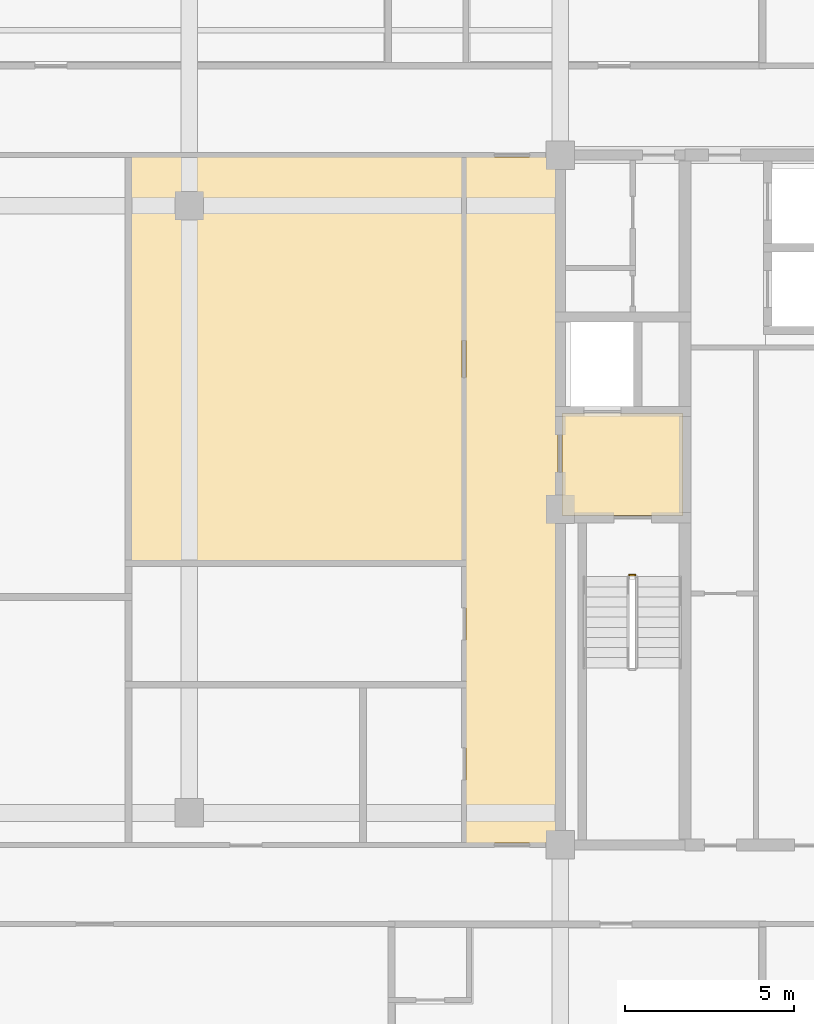
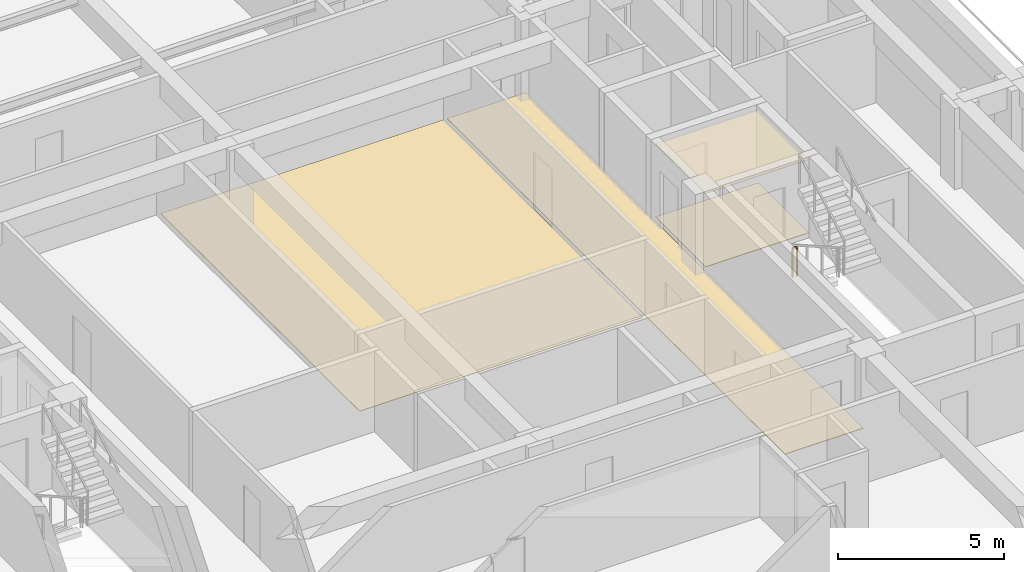
# One storey, part 12 of 13: 4 coverings, 1 railing.
"""IFC4 building model written with IfcOpenShell, lengths in metres."""

from ifc_helpers import new_model, si_unit, direction, frame, origin, origin_2d, place, context, subcontext, project, spatial, polyline, rectangle, outline, extrude, material, layer, layer_set, type_object, element, save


model = new_model("IFC4")

# Units and contexts
model_context = context("Model", 3, precision=1e-05, world=origin(), true_north=direction((0.0, 1.0)))
body_context = subcontext(model_context, "Body", "Model", "MODEL_VIEW")
ifc_project = project(units=[si_unit("LENGTHUNIT", "METRE"), si_unit("AREAUNIT", "SQUARE_METRE"), si_unit("VOLUMEUNIT", "CUBIC_METRE"), si_unit("PLANEANGLEUNIT", "RADIAN"), si_unit("MASSUNIT", "GRAM", prefix="KILO")], contexts=[model_context])

# Site, building, storey
site_placement = place(None, origin())
site = spatial("IfcSite", under=ifc_project, at=site_placement, CompositionType="ELEMENT")
building_placement = place(site_placement, origin())
building = spatial("IfcBuilding", under=site, at=building_placement, Name="Zulmaris Gate Convention Tower", CompositionType="ELEMENT")
storey_placement = place(building_placement, frame((0.0, 0.0, 218.659912109375)))
storey = spatial("IfcBuildingStorey", under=building, at=storey_placement, Name="L57", CompositionType="ELEMENT", Elevation=218.659912109375)

# Coverings
ifc_material_1 = material(Name="Mineral Fibre Acoustic Ceiling Tile")
ifc_layer_1 = layer(ifc_material_1, 0.02001953125, Name="Mineral Fibre Acoustic Ceiling Tile")
ifc_layer_set_1 = layer_set([ifc_layer_1], Name="Mineral Fibre Acoustic Ceiling Tile")
covering_type_1 = type_object("IfcCoveringType", Name="CLG-ACOUSTIC-600", PredefinedType="CEILING", material=ifc_layer_set_1)
covering_1_placement = place(storey_placement, frame((0.0, 0.0, 2.695068359375)))
element("IfcCovering", 1, at=covering_1_placement, inside=storey, type_object=covering_type_1, Name="CLG-L57-R08", PredefinedType="CEILING", context=body_context, shape_type="SweptSolid", body=[
    extrude(outline(polyline([(11.06005859375, -0.18994140625), (14.639892578125, -0.18994140625), (14.639892578125, 2.840087890625), (11.06005859375, 2.840087890625), (11.06005859375, -0.18994140625)])), origin(), (0.0, 0.0, 1.0), 0.02001953125),
])
ifc_material_2 = material(Name="Woven Acoustic Wool Carpet Tile")
ifc_layer_2 = layer(ifc_material_2, 0.02001953125, Name="Woven Acoustic Wool Carpet Tile")
ifc_layer_set_2 = layer_set([ifc_layer_2], Name="Woven Acoustic Wool Carpet Tile")
covering_type_2 = type_object("IfcCoveringType", Name="FLR-CARPET-12", PredefinedType="FLOORING", material=ifc_layer_set_2)
covering_2_placement = place(storey_placement, origin())
element("IfcCovering", 2, at=covering_2_placement, inside=storey, type_object=covering_type_2, Name="FLR-L57-R08", PredefinedType="FLOORING", context=body_context, shape_type="SweptSolid", body=[
    extrude(outline(polyline([(11.06005859375, -0.18994140625), (14.639892578125, -0.18994140625), (14.639892578125, 2.840087890625), (11.06005859375, 2.840087890625), (11.06005859375, -0.18994140625)])), origin(), (0.0, 0.0, 1.0), 0.02001953125),
])
covering_3_placement = place(storey_placement, origin())
element("IfcCovering", 3, at=covering_3_placement, inside=storey, type_object=covering_type_2, Name="FLR-L57-R35", PredefinedType="FLOORING", context=body_context, shape_type="SweptSolid", body=[
    extrude(outline(polyline([(8.2099609375, -9.889892578125), (10.93994140625, -9.889892578125), (10.93994140625, 10.43994140625), (8.2099609375, 10.43994140625), (8.2099609375, -9.889892578125)])), origin(), (0.0, 0.0, 1.0), 0.02001953125),
])
ifc_material_3 = material(Name="Engineered Teak Parquet Flooring")
ifc_layer_3 = layer(ifc_material_3, 0.02001953125, Name="Engineered Teak Parquet Flooring")
ifc_layer_set_3 = layer_set([ifc_layer_3], Name="Engineered Teak Parquet Flooring")
covering_type_3 = type_object("IfcCoveringType", Name="FLR-TIMBER-18", PredefinedType="FLOORING", material=ifc_layer_set_3)
covering_4_placement = place(storey_placement, origin())
element("IfcCovering", 4, at=covering_4_placement, inside=storey, type_object=covering_type_3, Name="FLR-L57-R50", PredefinedType="FLOORING", context=body_context, shape_type="SweptSolid", body=[
    extrude(outline(polyline([(-1.739990234375, -1.5400390625), (8.090087890625, -1.5400390625), (8.090087890625, 10.43994140625), (-1.739990234375, 10.43994140625), (-1.739990234375, -1.5400390625)])), origin(), (0.0, 0.0, 1.0), 0.02001953125),
])

# Railing
ifc_material_4 = material(Name="Painted Galvanised Steel", Category="steel")
railing_type = type_object("IfcRailingType", Name="RL-STG-1150", PredefinedType="GUARDRAIL", material=ifc_material_4)
railing_placement = place(storey_placement, frame((13.06005859375, -1.949951171875, 0.0)))
element("IfcRailing", 5, at=railing_placement, inside=storey, type_object=railing_type, Name="L57 ST-2 stair guard 4", PredefinedType="GUARDRAIL", context=body_context, shape_type="SweptSolid", body=[
    extrude(rectangle(XDim=0.048095703125, YDim=0.048095703125, at=origin_2d()), frame((0.0, 0.0, 1.076171875), z_axis=(1.0, 0.0, 0.0), x_axis=(0.0, 1.0, 0.0)), (0.0, 0.0, 1.0), 0.159912109375),
    extrude(rectangle(XDim=0.0419921875, YDim=0.0419921875, at=origin_2d()), origin(), (0.0, 0.0, 1.0), 1.052001953125),
    extrude(rectangle(XDim=0.0419921875, YDim=0.0419921875, at=origin_2d()), frame((0.159912109375, 0.0, 0.0)), (0.0, 0.0, 1.0), 1.052001953125),
])

save(model, "model.ifc")
